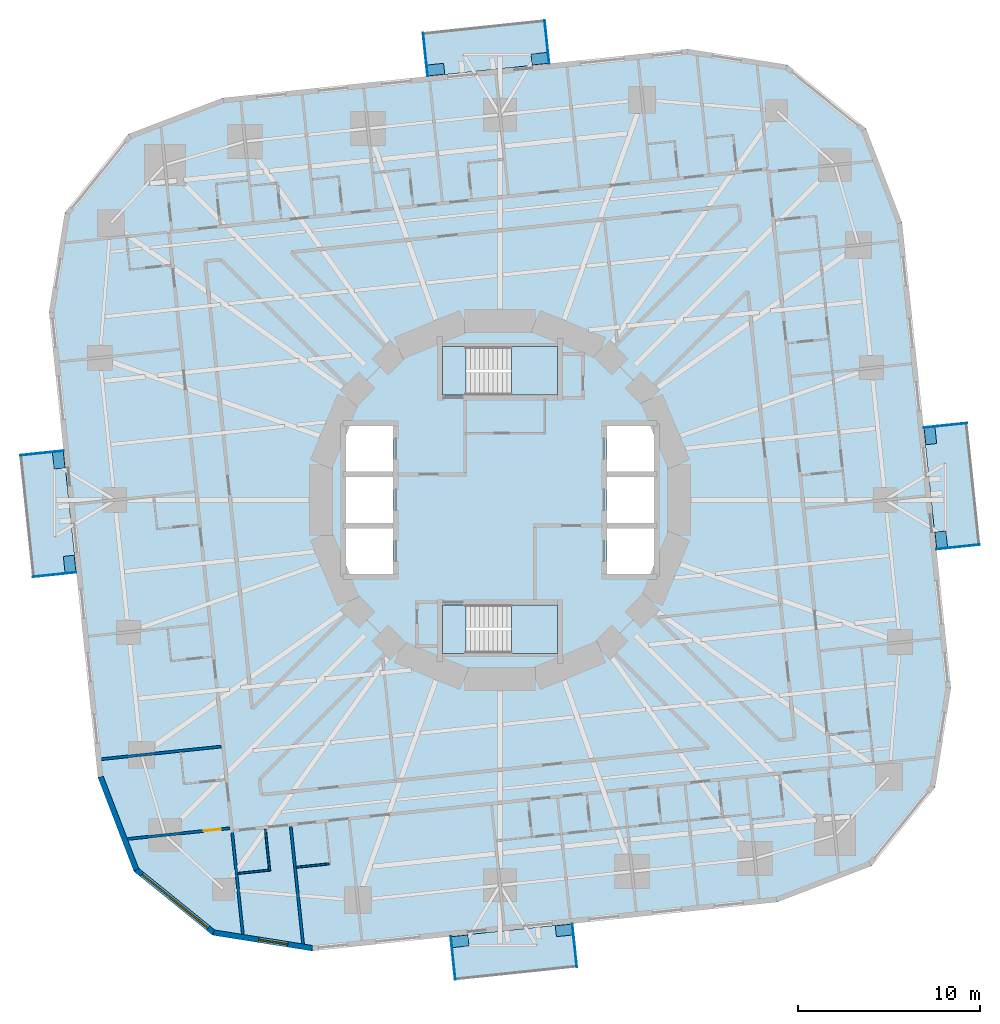
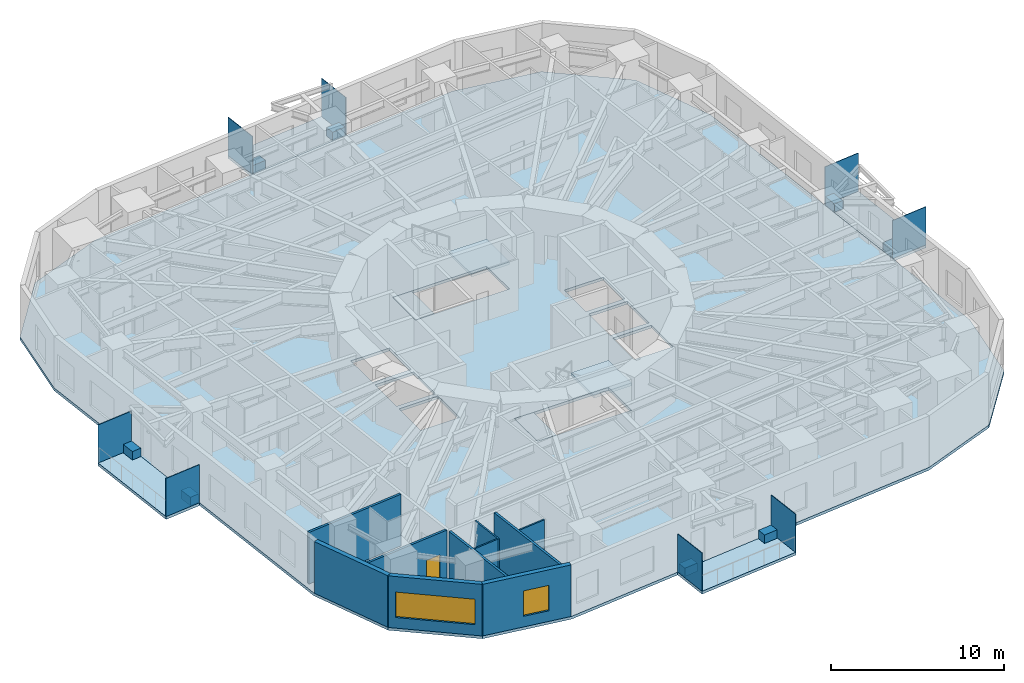
# One storey, part 4 of 13: 16 plates, 10 walls, 9 slabs, 2 windows, 1 door, 3 openings, 2 elements without a shape of their own.
"""IFC4 building model written with IfcOpenShell, lengths in metres."""

from ifc_helpers import new_model, si_unit, direction, frame, frame_2d, origin, origin_2d, place, context, subcontext, project, spatial, polyline, rectangle, outline, extrude, material, layer, layer_set, type_object, element, fill, aggregate, save


model = new_model("IFC4")

# Units and contexts
model_context = context("Model", 3, precision=1e-05, world=origin(), true_north=direction((0.0, 1.0)))
body_context = subcontext(model_context, "Body", "Model", "MODEL_VIEW")
ifc_project = project(units=[si_unit("LENGTHUNIT", "METRE"), si_unit("AREAUNIT", "SQUARE_METRE"), si_unit("VOLUMEUNIT", "CUBIC_METRE"), si_unit("PLANEANGLEUNIT", "RADIAN"), si_unit("MASSUNIT", "GRAM", prefix="KILO")], contexts=[model_context])

# Site, building, storey
site_placement = place(None, origin())
site = spatial("IfcSite", under=ifc_project, at=site_placement, CompositionType="ELEMENT")
building_placement = place(site_placement, origin())
building = spatial("IfcBuilding", under=site, at=building_placement, Name="Nakasero Lantern House", CompositionType="ELEMENT")
storey_placement = place(building_placement, frame((0.0, 0.0, 83.60009765625)))
storey = spatial("IfcBuildingStorey", under=building, at=storey_placement, Name="L20", CompositionType="ELEMENT", Elevation=83.60009765625)

# Plates
ifc_material_1 = material(Name="Aluminium 6063-T6", Category="aluminium")
ifc_layer_1 = layer(ifc_material_1, 0.60009765625)
ifc_layer_set_1 = layer_set([ifc_layer_1], Name="Balcony planter 600x900")
plate_type_1 = type_object("IfcPlateType", Name="Balcony planter 600x900", PredefinedType="USERDEFINED", material=ifc_layer_set_1)
for number, where, z_axis, x_axis, name in (
    (1, (24.1796875, -2.174560546875, -0.000244140625), (0.0, 0.0, 1.0), (0.994521895368, 0.104528463268, 0.0), "Balcony PLANTER L20 BAL0A"),
    (2, (23.58251953125, 3.507568359375, -0.000244140625), (0.0, 0.0, 1.0), (0.994521895368, 0.104528463268, 0.0), "Balcony PLANTER L20 BAL0B"),
    (3, (2.174560546875, 24.1796875, -0.000244140625), (0.0, 0.0, 1.0), (-0.104528463268, 0.994521895368, 0.0), "Balcony PLANTER L20 BAL1A"),
    (4, (-3.507568359375, 23.58251953125, -0.000244140625), (0.0, 0.0, 1.0), (-0.104528463268, 0.994521895368, 0.0), "Balcony PLANTER L20 BAL1B"),
    (5, (-24.1796875, 2.174560546875, -0.000244140625), (0.0, 0.0, 1.0), (-0.994521895368, -0.104528463268, 0.0), "Balcony PLANTER L20 BAL2A"),
    (6, (-23.58251953125, -3.507568359375, -0.000244140625), (0.0, 0.0, 1.0), (-0.994521895368, -0.104528463268, 0.0), "Balcony PLANTER L20 BAL2B"),
    (7, (-2.174560546875, -24.1796875, -0.000244140625), (0.0, 0.0, 1.0), (0.104528463268, -0.994521895368, 0.0), "Balcony PLANTER L20 BAL3A"),
    (8, (3.507568359375, -23.58251953125, -0.000244140625), (0.0, 0.0, 1.0), (0.104528463268, -0.994521895368, 0.0), "Balcony PLANTER L20 BAL3B"),
):
    element("IfcPlate", number, at=place(storey_placement, frame(where, z_axis=z_axis, x_axis=x_axis)), inside=storey, type_object=plate_type_1, Name=name, ObjectType="PLANTER", PredefinedType="USERDEFINED", context=body_context, shape_type="SweptSolid", body=[
        extrude(rectangle(XDim=0.60009765625, YDim=0.89990234375, at=origin_2d()), origin(), (0.0, 0.0, 1.0), 0.60009765625),
    ])
ifc_material_2 = material(Name="Aluminium 6063-T6", Category="aluminium")
ifc_layer_2 = layer(ifc_material_2, 0.0400390625)
ifc_layer_set_2 = layer_set([ifc_layer_2], Name="Balcony screen 2400x2700")
plate_type_2 = type_object("IfcPlateType", Name="Balcony screen 2400x2700", PredefinedType="SHEET", material=ifc_layer_set_2)
for number, where, z_axis, x_axis, name in (
    (9, (25.106201171875, -2.56982421875, 0.0), (0.0, 0.0, 1.0), (0.994521895368, 0.104528463268, 0.0), "Balcony SCREEN L20 BAL0A"),
    (10, (24.406494140625, 4.0869140625, 0.0), (0.0, 0.0, 1.0), (0.994521895368, 0.104528463268, 0.0), "Balcony SCREEN L20 BAL0B"),
    (11, (2.56982421875, 25.106201171875, 0.0), (0.0, 0.0, 1.0), (-0.104528463268, 0.994521895368, 0.0), "Balcony SCREEN L20 BAL1A"),
    (12, (-4.0869140625, 24.406494140625, 0.0), (0.0, 0.0, 1.0), (-0.104528463268, 0.994521895368, 0.0), "Balcony SCREEN L20 BAL1B"),
    (13, (-25.106201171875, 2.56982421875, 0.0), (0.0, 0.0, 1.0), (-0.994521895368, -0.104528463268, 0.0), "Balcony SCREEN L20 BAL2A"),
    (14, (-24.406494140625, -4.0869140625, 0.0), (0.0, 0.0, 1.0), (-0.994521895368, -0.104528463268, 0.0), "Balcony SCREEN L20 BAL2B"),
    (15, (-2.56982421875, -25.106201171875, 0.0), (0.0, 0.0, 1.0), (0.104528463268, -0.994521895368, 0.0), "Balcony SCREEN L20 BAL3A"),
    (16, (4.0869140625, -24.406494140625, 0.0), (0.0, 0.0, 1.0), (0.104528463268, -0.994521895368, 0.0), "Balcony SCREEN L20 BAL3B"),
):
    element("IfcPlate", number, at=place(storey_placement, frame(where, z_axis=z_axis, x_axis=x_axis)), inside=storey, type_object=plate_type_2, Name=name, PredefinedType="SHEET", context=body_context, shape_type="SweptSolid", body=[
        extrude(rectangle(XDim=2.39990234375, YDim=0.0400390625, at=origin_2d()), origin(), (0.0, 0.0, 1.0), 2.699951171875),
    ])

# Slabs
ifc_material_3 = material(Name="Concrete C35/45", Category="concrete")
ifc_layer_3 = layer(ifc_material_3, 0.199951171875)
ifc_layer_set_3 = layer_set([ifc_layer_3], Name="Balcony slab 200")
slab_type_1 = type_object("IfcSlabType", Name="Balcony slab 200", PredefinedType="USERDEFINED", material=ifc_layer_set_3)
slab_1_placement = place(storey_placement, frame((0.0, 0.0, -0.2001953125)))
element("IfcSlab", 17, at=slab_1_placement, inside=storey, type_object=slab_type_1, Name="Balcony L20 BAL0", ObjectType="BALCONY", PredefinedType="USERDEFINED", context=body_context, shape_type="SweptSolid", body=[
    extrude(outline(polyline([(23.914794921875, -2.715087890625), (26.3017578125, -2.464111328125), (25.597900390625, 4.232177734375), (23.2109375, 3.9814453125), (23.914794921875, -2.715087890625)])), origin(), (0.0, 0.0, 1.0), 0.2001953125),
])
slab_2_placement = place(storey_placement, frame((0.0, 0.0, -0.2001953125)))
element("IfcSlab", 18, at=slab_2_placement, inside=storey, type_object=slab_type_1, Name="Balcony L20 BAL1", ObjectType="BALCONY", PredefinedType="USERDEFINED", context=body_context, shape_type="SweptSolid", body=[
    extrude(outline(polyline([(2.715087890625, 23.914794921875), (2.464111328125, 26.3017578125), (-4.232177734375, 25.597900390625), (-3.9814453125, 23.2109375), (2.715087890625, 23.914794921875)])), origin(), (0.0, 0.0, 1.0), 0.2001953125),
])
slab_3_placement = place(storey_placement, frame((0.0, 0.0, -0.2001953125)))
element("IfcSlab", 19, at=slab_3_placement, inside=storey, type_object=slab_type_1, Name="Balcony L20 BAL2", ObjectType="BALCONY", PredefinedType="USERDEFINED", context=body_context, shape_type="SweptSolid", body=[
    extrude(outline(polyline([(-23.914794921875, 2.715087890625), (-26.3017578125, 2.464111328125), (-25.597900390625, -4.232177734375), (-23.2109375, -3.9814453125), (-23.914794921875, 2.715087890625)])), origin(), (0.0, 0.0, 1.0), 0.2001953125),
])
slab_4_placement = place(storey_placement, frame((0.0, 0.0, -0.2001953125)))
element("IfcSlab", 20, at=slab_4_placement, inside=storey, type_object=slab_type_1, Name="Balcony L20 BAL3", ObjectType="BALCONY", PredefinedType="USERDEFINED", context=body_context, shape_type="SweptSolid", body=[
    extrude(outline(polyline([(-2.715087890625, -23.914794921875), (-2.464111328125, -26.3017578125), (4.232177734375, -25.597900390625), (3.9814453125, -23.2109375), (-2.715087890625, -23.914794921875)])), origin(), (0.0, 0.0, 1.0), 0.2001953125),
])
ifc_material_4 = material(Name="Concrete C35/45", Category="concrete")
ifc_layer_4 = layer(ifc_material_4, 0.199951171875)
ifc_layer_set_4 = layer_set([ifc_layer_4], Name="Composite floor slab 200")
slab_type_2 = type_object("IfcSlabType", Name="Composite floor slab 200", PredefinedType="FLOOR", material=ifc_layer_set_4)
slab_5_placement = place(storey_placement, frame((0.0, 0.0, -0.2001953125)))
element("IfcSlab", 21, at=slab_5_placement, inside=storey, type_object=slab_type_2, Name="Floor slab L20", PredefinedType="FLOOR", context=body_context, shape_type="SweptSolid", body=[
    extrude(outline(polyline([(22.033203125, 15.186279296875), (20.04833984375, 20.357177734375), (15.743896484375, 23.8427734375), (10.2734375, 24.709228515625), (-15.186279296875, 22.033203125), (-20.357177734375, 20.04833984375), (-23.8427734375, 15.743896484375), (-24.709228515625, 10.2734375), (-22.033203125, -15.186279296875), (-20.04833984375, -20.357177734375), (-15.743896484375, -23.8427734375), (-10.2734375, -24.709228515625), (15.186279296875, -22.033203125), (20.357177734375, -20.04833984375), (23.8427734375, -15.743896484375), (24.709228515625, -10.2734375), (22.033203125, 15.186279296875)]), holes=[polyline([(-8.449951171875, -4.050048828125), (-5.85009765625, -4.050048828125), (-5.85009765625, -1.550048828125), (-8.449951171875, -1.550048828125), (-8.449951171875, -4.050048828125)]), polyline([(-8.449951171875, -1.25), (-5.85009765625, -1.25), (-5.85009765625, 1.25), (-8.449951171875, 1.25), (-8.449951171875, -1.25)]), polyline([(-8.449951171875, 1.550048828125), (-5.85009765625, 1.550048828125), (-5.85009765625, 4.050048828125), (-8.449951171875, 4.050048828125), (-8.449951171875, 1.550048828125)]), polyline([(5.85009765625, -4.050048828125), (8.449951171875, -4.050048828125), (8.449951171875, -1.550048828125), (5.85009765625, -1.550048828125), (5.85009765625, -4.050048828125)]), polyline([(5.85009765625, -1.25), (8.449951171875, -1.25), (8.449951171875, 1.25), (5.85009765625, 1.25), (5.85009765625, -1.25)]), polyline([(5.85009765625, 1.550048828125), (8.449951171875, 1.550048828125), (8.449951171875, 4.050048828125), (5.85009765625, 4.050048828125), (5.85009765625, 1.550048828125)]), polyline([(-3.14990234375, 5.75), (3.14990234375, 5.75), (3.14990234375, 8.39990234375), (-3.14990234375, 8.39990234375), (-3.14990234375, 5.75)]), polyline([(-3.14990234375, -8.39990234375), (3.14990234375, -8.39990234375), (3.14990234375, -5.75), (-3.14990234375, -5.75), (-3.14990234375, -8.39990234375)])]), origin(), (0.0, 0.0, 1.0), 0.2001953125),
])

# Stair, slabs
ifc_material_5 = material(Name="Concrete C40/50", Category="concrete")
stair_type_1 = type_object("IfcStairType", Name="Escape stair ST1 22 risers", PredefinedType="HALF_TURN_STAIR", material=ifc_material_5)
stair_1_placement = place(storey_placement, origin())
stair_1 = element("IfcStair", 22, at=stair_1_placement, inside=storey, type_object=stair_type_1, Name="Escape stair ST1 L20", PredefinedType="HALF_TURN_STAIR")
ifc_material_6 = material(Name="Concrete C40/50", Category="concrete")
ifc_layer_5 = layer(ifc_material_6, 0.199951171875)
ifc_layer_set_5 = layer_set([ifc_layer_5], Name="Stair landing 200")
slab_type_3 = type_object("IfcSlabType", Name="Stair landing 200", PredefinedType="LANDING", material=ifc_layer_set_5)
slab_6_placement = place(storey_placement, frame((0.0, 0.0, -0.2001953125)))
slab_6 = element("IfcSlab", 23, at=slab_6_placement, type_object=slab_type_3, Name="ST1 landing 1", PredefinedType="LANDING", context=body_context, shape_type="SweptSolid", body=[
    extrude(outline(polyline([(-3.14990234375, 5.75), (-1.875, 5.75), (-1.875, 8.39990234375), (-3.14990234375, 8.39990234375), (-3.14990234375, 5.75)])), origin(), (0.0, 0.0, 1.0), 0.2001953125),
])
slab_7_placement = place(storey_placement, frame((0.0, 0.0, 1.724853515625)))
slab_7 = element("IfcSlab", 24, at=slab_7_placement, type_object=slab_type_3, Name="ST1 landing 2", PredefinedType="LANDING", context=body_context, shape_type="SweptSolid", body=[
    extrude(outline(polyline([(0.625, 5.75), (3.14990234375, 5.75), (3.14990234375, 8.39990234375), (0.625, 8.39990234375), (0.625, 5.75)])), origin(), (0.0, 0.0, 1.0), 0.199951171875),
])
aggregate(stair_1, [slab_6, slab_7])

ifc_material_7 = material(Name="Concrete C40/50", Category="concrete")
stair_type_2 = type_object("IfcStairType", Name="Escape stair ST2 22 risers", PredefinedType="HALF_TURN_STAIR", material=ifc_material_7)
stair_2_placement = place(storey_placement, origin())
stair_2 = element("IfcStair", 25, at=stair_2_placement, inside=storey, type_object=stair_type_2, Name="Escape stair ST2 L20", PredefinedType="HALF_TURN_STAIR")
slab_8_placement = place(storey_placement, frame((0.0, 0.0, -0.2001953125)))
slab_8 = element("IfcSlab", 26, at=slab_8_placement, type_object=slab_type_3, Name="ST2 landing 1", PredefinedType="LANDING", context=body_context, shape_type="SweptSolid", body=[
    extrude(outline(polyline([(-3.14990234375, -8.39990234375), (-1.875, -8.39990234375), (-1.875, -5.75), (-3.14990234375, -5.75), (-3.14990234375, -8.39990234375)])), origin(), (0.0, 0.0, 1.0), 0.2001953125),
])
slab_9_placement = place(storey_placement, frame((0.0, 0.0, 1.724853515625)))
slab_9 = element("IfcSlab", 27, at=slab_9_placement, type_object=slab_type_3, Name="ST2 landing 2", PredefinedType="LANDING", context=body_context, shape_type="SweptSolid", body=[
    extrude(outline(polyline([(0.625, -8.39990234375), (3.14990234375, -8.39990234375), (3.14990234375, -5.75), (0.625, -5.75), (0.625, -8.39990234375)])), origin(), (0.0, 0.0, 1.0), 0.199951171875),
])
aggregate(stair_2, [slab_8, slab_9])

# Walls
ifc_material_8 = material(Name="Blockwork", Category="masonry")
ifc_layer_6 = layer(ifc_material_8, 0.10009765625)
ifc_layer_set_6 = layer_set([ifc_layer_6], Name="En-suite wall 100")
wall_type_1 = type_object("IfcWallType", Name="En-suite wall 100", PredefinedType="PARTITIONING", material=ifc_layer_set_6)
wall_1_placement = place(storey_placement, frame((-12.859375, -18.04296875, 0.0), z_axis=(0.0, 0.0, 1.0), x_axis=(0.104452703326, -0.994529855142, 0.0)))
element("IfcWall", 28, at=wall_1_placement, inside=storey, type_object=wall_type_1, Name="En-suite wall L20 ES3-00", PredefinedType="PARTITIONING", context=body_context, shape_type="SweptSolid", body=[
    extrude(rectangle(XDim=2.300048828125, YDim=0.10009765625, at=frame_2d((1.14990234375, 0.0))), origin(), (0.0, 0.0, 1.0), 3.64990234375),
])
wall_2_placement = place(storey_placement, frame((-14.36474609375, -20.463623046875, 0.0), z_axis=(0.0, 0.0, 1.0), x_axis=(0.994519608382, 0.104550220202, 0.0)))
element("IfcWall", 29, at=wall_2_placement, inside=storey, type_object=wall_type_1, Name="En-suite wall L20 EE3-00", PredefinedType="PARTITIONING", context=body_context, shape_type="SweptSolid", body=[
    extrude(rectangle(XDim=1.699951171875, YDim=0.10009765625, at=frame_2d((0.85009765625, 0.0))), origin(), (0.0, 0.0, 1.0), 3.64990234375),
])
wall_3_placement = place(storey_placement, frame((-11.156982421875, -20.12646484375, 0.0), z_axis=(0.0, 0.0, 1.0), x_axis=(0.994516595821, 0.104578872801, 0.0)))
element("IfcWall", 30, at=wall_3_placement, inside=storey, type_object=wall_type_1, Name="En-suite wall L20 EE3-01", PredefinedType="PARTITIONING", context=body_context, shape_type="SweptSolid", body=[
    extrude(rectangle(XDim=1.7998046875, YDim=0.10009765625, at=frame_2d((0.89990234375, 0.0))), origin(), (0.0, 0.0, 1.0), 3.64990234375),
])
ifc_material_9 = material(Name="Aluminium rainscreen on blockwork", Category="masonry")
ifc_layer_7 = layer(ifc_material_9, 0.300048828125)
ifc_layer_set_7 = layer_set([ifc_layer_7], Name="Facade wall 300")
wall_type_2 = type_object("IfcWallType", Name="Facade wall 300", PredefinedType="SOLIDWALL", material=ifc_layer_set_7)
wall_4_placement = place(storey_placement, frame((-21.884033203125, -15.170654296875, 0.0), z_axis=(0.0, 0.0, 1.0), x_axis=(0.358358884793, -0.933583906079, 0.0)))
element("IfcWall", 31, at=wall_4_placement, inside=storey, type_object=wall_type_2, Name="Facade wall L20 FW2C1", PredefinedType="SOLIDWALL", context=body_context, shape_type="SweptSolid", body=[
    extrude(rectangle(XDim=5.461181640625, YDim=0.300048828125, at=frame_2d((2.73046875, 0.0))), origin(), (0.0, 0.0, 1.0), 3.64990234375),
])

# Wall, opening, window
wall_5_placement = place(storey_placement, frame((-19.927001953125, -20.26904296875, 0.0), z_axis=(0.0, 0.0, 1.0), x_axis=(0.777134500863, -0.629334543442, 0.0)))
wall_5 = element("IfcWall", 32, at=wall_5_placement, inside=storey, type_object=wall_type_2, Name="Facade wall L20 FW2C2", PredefinedType="SOLIDWALL", context=body_context, shape_type="SweptSolid", body=[
    extrude(rectangle(XDim=5.4609375, YDim=0.300048828125, at=frame_2d((2.73046875, 0.0))), origin(), (0.0, 0.0, 1.0), 3.64990234375),
])
opening_1_placement = place(wall_5_placement, frame((0.39990234375, 0.0, 0.75)))
opening_1 = element("IfcOpeningElement", 33, at=opening_1_placement, cuts=wall_5, Name="Opening W246", PredefinedType="OPENING", context=body_context, shape_type="SweptSolid", body=[
    extrude(rectangle(XDim=4.660888671875, YDim=1.800048828125, at=frame_2d((2.33056640625, 0.89990234375))), frame((0.0, 0.169921875, 0.0), z_axis=(0.0, -1.0, 0.0), x_axis=(1.0, 0.0, 0.0)), (0.0, 0.0, 1.0), 0.340087890625),
])
ifc_material_10 = material(Name="Aluminium 6063-T6 and glass", Category="aluminium")
window_type_1 = type_object("IfcWindowType", Name="Corner window 4661x1800", PartitioningType="SINGLE_PANEL", PredefinedType="WINDOW", material=ifc_material_10)
window_1_placement = place(opening_1_placement, origin())
window_1 = element("IfcWindow", 34, at=window_1_placement, inside=storey, type_object=window_type_1, Name="Window L20 WC2", OverallHeight=1.800048828125, OverallWidth=4.660888671875, PartitioningType="SINGLE_PANEL", PredefinedType="WINDOW", context=body_context, shape_type="SweptSolid", body=[
    extrude(rectangle(XDim=4.660888671875, YDim=1.800048828125, at=frame_2d((2.33056640625, 0.89990234375))), frame((0.0, 0.030029296875, 0.0), z_axis=(0.0, -1.0, 0.0), x_axis=(1.0, 0.0, 0.0)), (0.0, 0.0, 1.0), 0.06005859375),
])
fill(opening_1, window_1)

wall_6_placement = place(storey_placement, frame((-15.68310546875, -23.705810546875, 0.0), z_axis=(0.0, 0.0, 1.0), x_axis=(0.987690729142, -0.156419383601, 0.0)))
wall_6 = element("IfcWall", 35, at=wall_6_placement, inside=storey, type_object=wall_type_2, Name="Facade wall L20 FW2C3", PredefinedType="SOLIDWALL", context=body_context, shape_type="SweptSolid", body=[
    extrude(rectangle(XDim=5.461181640625, YDim=0.300048828125, at=frame_2d((2.73046875, 0.0))), origin(), (0.0, 0.0, 1.0), 3.64990234375),
])
opening_2_placement = place(wall_6_placement, frame((2.5, 0.0, 0.75)))
opening_2 = element("IfcOpeningElement", 36, at=opening_2_placement, cuts=wall_6, Name="Opening W01", PredefinedType="OPENING", context=body_context, shape_type="SweptSolid", body=[
    extrude(rectangle(XDim=1.60009765625, YDim=1.800048828125, at=frame_2d((0.800048828125, 0.89990234375))), frame((0.0, 0.169921875, 0.0), z_axis=(0.0, -1.0, 0.0), x_axis=(1.0, 0.0, 0.0)), (0.0, 0.0, 1.0), 0.340087890625),
])
ifc_material_11 = material(Name="Aluminium 6063-T6 and glass", Category="aluminium")
window_type_2 = type_object("IfcWindowType", Name="Bedroom window 1600x1800", PartitioningType="SINGLE_PANEL", PredefinedType="WINDOW", material=ifc_material_11)
window_2_placement = place(opening_2_placement, origin())
window_2 = element("IfcWindow", 37, at=window_2_placement, inside=storey, type_object=window_type_2, Name="Window L20 WN3-00", OverallHeight=1.800048828125, OverallWidth=1.60009765625, PartitioningType="SINGLE_PANEL", PredefinedType="WINDOW", context=body_context, shape_type="SweptSolid", body=[
    extrude(rectangle(XDim=1.60009765625, YDim=1.800048828125, at=frame_2d((0.800048828125, 0.89990234375))), frame((0.0, 0.030029296875, 0.0), z_axis=(0.0, -1.0, 0.0), x_axis=(1.0, 0.0, 0.0)), (0.0, 0.0, 1.0), 0.06005859375),
])
fill(opening_2, window_2)

# Wall
ifc_material_12 = material(Name="Blockwork", Category="masonry")
ifc_layer_8 = layer(ifc_material_12, 0.14990234375)
ifc_layer_set_8 = layer_set([ifc_layer_8], Name="Party wall 150")
wall_type_3 = type_object("IfcWallType", Name="Party wall 150", PredefinedType="PARTITIONING", material=ifc_layer_set_8)
wall_7_placement = place(storey_placement, frame((-15.271240234375, -13.511474609375, 0.0), z_axis=(0.0, 0.0, 1.0), x_axis=(-0.994521251134, -0.104534592565, 0.0)))
element("IfcWall", 38, at=wall_7_placement, inside=storey, type_object=wall_type_3, Name="Party wall L20 PW2-08", PredefinedType="PARTITIONING", context=body_context, shape_type="SweptSolid", body=[
    extrude(rectangle(XDim=6.60009765625, YDim=0.14990234375, at=frame_2d((3.300048828125, 0.0))), origin(), (0.0, 0.0, 1.0), 3.64990234375),
])

# Wall, opening, door
wall_8_placement = place(storey_placement, frame((-14.801025390625, -17.9853515625, 0.0), z_axis=(0.0, 0.0, 1.0), x_axis=(-0.994522751177, -0.104520320471, 0.0)))
wall_8 = element("IfcWall", 39, at=wall_8_placement, inside=storey, type_object=wall_type_3, Name="Party wall L20 PC2", PredefinedType="PARTITIONING", context=body_context, shape_type="SweptSolid", body=[
    extrude(rectangle(XDim=5.64111328125, YDim=0.14990234375, at=frame_2d((2.820556640625, 0.0))), origin(), (0.0, 0.0, 1.0), 3.64990234375),
])
opening_3_placement = place(wall_8_placement, frame((0.5, 0.0, 0.0)))
opening_3 = element("IfcOpeningElement", 40, at=opening_3_placement, cuts=wall_8, Name="Opening D01", PredefinedType="OPENING", context=body_context, shape_type="SweptSolid", body=[
    extrude(rectangle(XDim=0.949951171875, YDim=2.10009765625, at=frame_2d((0.47509765625, 1.050048828125))), frame((0.0, 0.094970703125, 0.0), z_axis=(0.0, -1.0, 0.0), x_axis=(1.0, 0.0, 0.0)), (0.0, 0.0, 1.0), 0.18994140625),
])
ifc_material_13 = material(Name="Timber C24", Category="wood")
door_type = type_object("IfcDoorType", Name="Bedroom door FD30S 950", OperationType="SINGLE_SWING_LEFT", PredefinedType="DOOR", material=ifc_material_13)
door_placement = place(opening_3_placement, origin())
door = element("IfcDoor", 41, at=door_placement, inside=storey, type_object=door_type, Name="Door L20 DC2", OperationType="SINGLE_SWING_LEFT", OverallHeight=2.10009765625, OverallWidth=0.949951171875, PredefinedType="DOOR", context=body_context, shape_type="SweptSolid", body=[
    extrude(rectangle(XDim=0.949951171875, YDim=2.10009765625, at=frame_2d((0.47509765625, 1.050048828125))), frame((0.0, 0.02490234375, 0.0), z_axis=(0.0, -1.0, 0.0), x_axis=(1.0, 0.0, 0.0)), (0.0, 0.0, 1.0), 0.050048828125),
])
fill(opening_3, door)

# Walls
wall_9_placement = place(storey_placement, frame((-14.674560546875, -18.23388671875, 0.0), z_axis=(0.0, 0.0, 1.0), x_axis=(0.104541754786, -0.994520498284, 0.0)))
element("IfcWall", 42, at=wall_9_placement, inside=storey, type_object=wall_type_3, Name="Party wall L20 PW3-00", PredefinedType="PARTITIONING", context=body_context, shape_type="SweptSolid", body=[
    extrude(rectangle(XDim=5.597900390625, YDim=0.14990234375, at=frame_2d((2.798828125, 0.0))), origin(), (0.0, 0.0, 1.0), 3.64990234375),
])
wall_10_placement = place(storey_placement, frame((-11.466796875, -17.896728515625, 0.0), z_axis=(0.0, 0.0, 1.0), x_axis=(0.10453728607, -0.994520968015, 0.0)))
element("IfcWall", 43, at=wall_10_placement, inside=storey, type_object=wall_type_3, Name="Party wall L20 PW3-01", PredefinedType="PARTITIONING", context=body_context, shape_type="SweptSolid", body=[
    extrude(rectangle(XDim=6.462158203125, YDim=0.14990234375, at=frame_2d((3.23095703125, 0.0))), origin(), (0.0, 0.0, 1.0), 3.64990234375),
])

save(model, "model.ifc")
